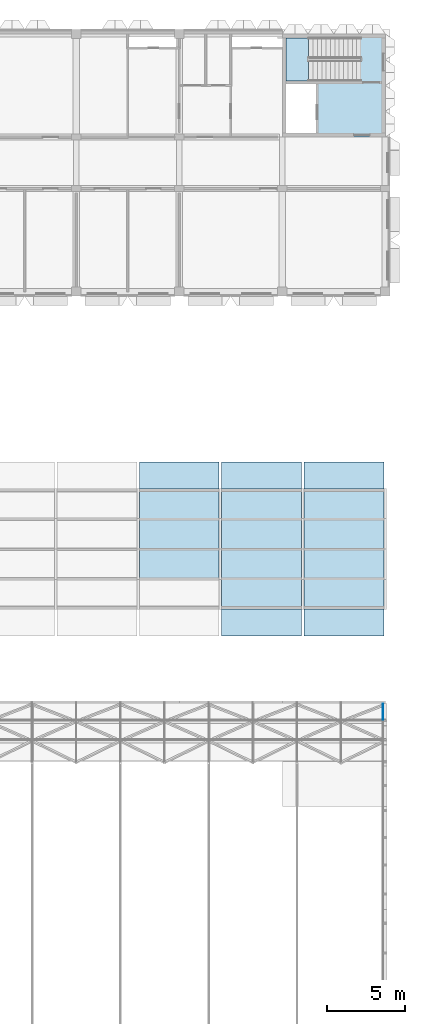
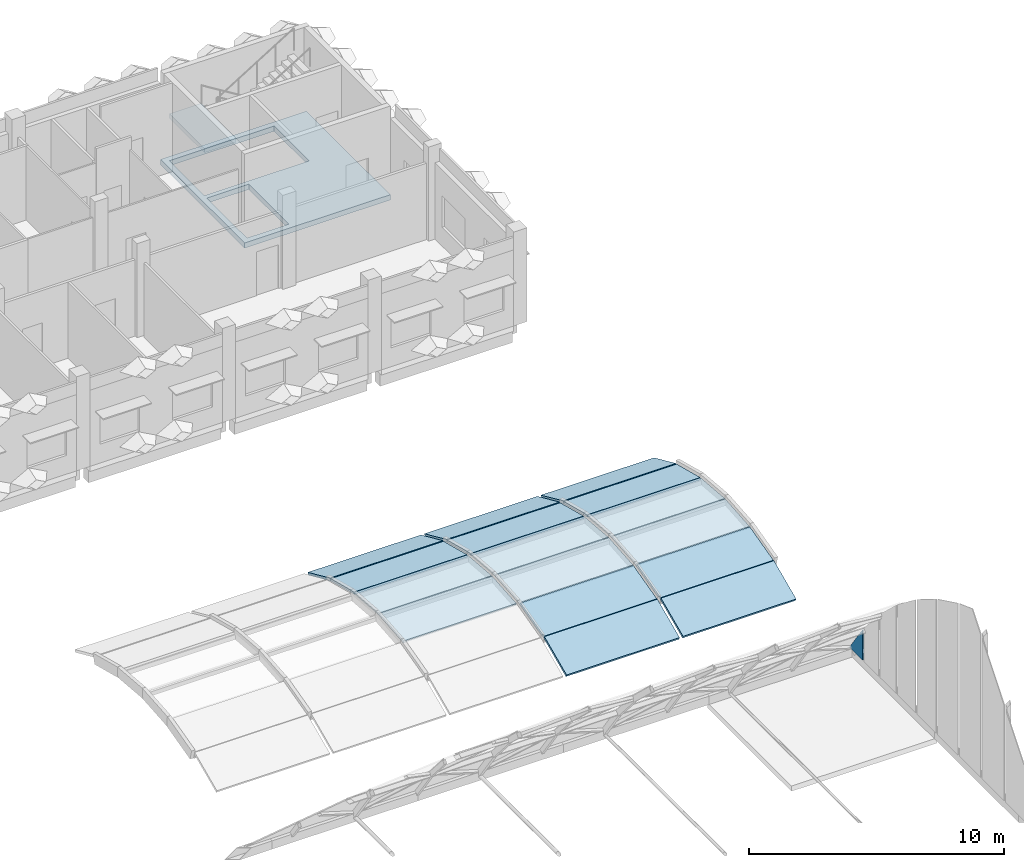
# One storey, part 48 of 109: 18 slabs, 1 plate, 1 element without a shape of its own.
"""IFC4 building model written with IfcOpenShell, lengths in metres."""

from ifc_helpers import new_model, si_unit, direction, frame, origin, place, context, subcontext, project, spatial, polyline, outline, extrude, material, layer, layer_set, type_object, element, aggregate, save


model = new_model("IFC4")

# Units and contexts
model_context = context("Model", 3, precision=1e-05, world=origin(), true_north=direction((0.0, 1.0)))
body_context = subcontext(model_context, "Body", "Model", "MODEL_VIEW")
ifc_project = project(units=[si_unit("LENGTHUNIT", "METRE"), si_unit("AREAUNIT", "SQUARE_METRE"), si_unit("VOLUMEUNIT", "CUBIC_METRE"), si_unit("PLANEANGLEUNIT", "RADIAN"), si_unit("MASSUNIT", "GRAM", prefix="KILO")], contexts=[model_context])

# Site, building, storey
site_placement = place(None, origin())
site = spatial("IfcSite", under=ifc_project, at=site_placement, CompositionType="ELEMENT")
building_placement = place(site_placement, origin())
building = spatial("IfcBuilding", under=site, at=building_placement, Name="Lantern Court Research Institute", CompositionType="ELEMENT")
storey_placement = place(building_placement, frame((0.0, 0.0, 14.39990234375)))
storey = spatial("IfcBuildingStorey", under=building, at=storey_placement, Name="L03", CompositionType="ELEMENT", Elevation=14.39990234375)

# Plate
ifc_material_1 = material(Name="Laminated low-emissivity glass", Category="glass")
ifc_layer_1 = layer(ifc_material_1, 0.035888671875)
ifc_layer_set_1 = layer_set([ifc_layer_1], Name="Laminated low-emissivity glass")
plate_type = type_object("IfcPlateType", Name="Gable glazing panel 36", PredefinedType="SHEET", material=ifc_layer_set_1)
plate_placement = place(storey_placement, frame((79.056884765625, 55.063720703125, 0.400146484375), z_axis=(0.0, 0.0, 1.0), x_axis=(0.0, 1.0, 0.0)))
element("IfcPlate", 1, at=plate_placement, inside=storey, type_object=plate_type, Name="Gable glazing panel", PredefinedType="SHEET", context=body_context, shape_type="SweptSolid", body=[
    extrude(outline(polyline([(0.0, 0.0), (1.016357421875, 0.0), (1.016357421875, 0.0283203125), (0.0, 1.4697265625), (0.0, 0.0)])), frame((0.0, 0.01806640625, 0.0), z_axis=(0.0, -1.0, 0.0), x_axis=(1.0, 0.0, 0.0)), (0.0, 0.0, 1.0), 0.035888671875),
])

# Slab
ifc_material_2 = material(Name="Concrete C35/45", Category="concrete")
ifc_layer_2 = layer(ifc_material_2, 0.25)
ifc_layer_set_2 = layer_set([ifc_layer_2], Name="Concrete C35/45")
slab_type_1 = type_object("IfcSlabType", Name="RC core floor slab 250", PredefinedType="FLOOR", material=ifc_layer_set_2)
slab_1_placement = place(storey_placement, frame((0.0, 0.0, -0.25)))
element("IfcSlab", 2, at=slab_1_placement, inside=storey, type_object=slab_type_1, Name="Floor of core WC-E", PredefinedType="FLOOR", context=body_context, shape_type="SweptSolid", body=[
    extrude(outline(polyline([(72.60009765625, 92.39990234375), (79.199951171875, 92.39990234375), (79.199951171875, 99.0), (72.60009765625, 99.0), (72.60009765625, 92.39990234375)]), holes=[polyline([(77.60009765625, 98.75), (72.85009765625, 98.75), (72.85009765625, 96.0), (77.60009765625, 96.0), (77.60009765625, 98.75)]), polyline([(72.85009765625, 92.64990234375), (72.85009765625, 95.800048828125), (74.75, 95.800048828125), (74.75, 92.64990234375), (72.85009765625, 92.64990234375)])]), origin(), (0.0, 0.0, 1.0), 0.25),
])

# Stair, slab
ifc_material_3 = material(Name="Concrete C40/50", Category="concrete")
stair_type = type_object("IfcStairType", Name="RC half-turn stair 1300 wide, 4500 rise, 6100 shaft", PredefinedType="HALF_TURN_STAIR", material=ifc_material_3)
stair_placement = place(storey_placement, origin())
stair = element("IfcStair", 3, at=stair_placement, inside=storey, type_object=stair_type, Name="L03 stair ST-W3", PredefinedType="HALF_TURN_STAIR")
ifc_material_4 = material(Name="Concrete C40/50", Category="concrete")
ifc_layer_3 = layer(ifc_material_4, 0.199951171875)
ifc_layer_set_3 = layer_set([ifc_layer_3], Name="Concrete C40/50")
slab_type_2 = type_object("IfcSlabType", Name="RC stair landing 200", PredefinedType="LANDING", material=ifc_layer_set_3)
slab_2_placement = place(storey_placement, frame((0.0, 0.0, 2.050048828125)))
slab_2 = element("IfcSlab", 4, at=slab_2_placement, type_object=slab_type_2, Name="ST-W3 landing 1", PredefinedType="LANDING", context=body_context, shape_type="SweptSolid", body=[
    extrude(outline(polyline([(74.2900390625, 98.75), (72.85009765625, 98.75), (72.85009765625, 96.0), (74.2900390625, 96.0), (74.2900390625, 98.75)])), origin(), (0.0, 0.0, 1.0), 0.199951171875),
])
aggregate(stair, [slab_2])

# Slabs
ifc_material_5 = material(Name="Cross-laminated timber C24", Category="wood")
ifc_layer_4 = layer(ifc_material_5, 0.10009765625)
ifc_layer_set_4 = layer_set([ifc_layer_4], Name="Cross-laminated timber C24")
slab_type_3 = type_object("IfcSlabType", Name="Timber roof deck 100", PredefinedType="ROOF", material=ifc_layer_set_4)
for number, where, z_axis, x_axis, name in (
    (5, (63.43994140625, 64.081787109375, 1.317138671875), (0.0, -0.08429454948, 0.996440880799), (1.0, 0.0, 0.0), "Timber roof deck panel"),
    (6, (63.43994140625, 66.016357421875, 1.47802734375), (0.0, 0.08429454948, 0.996440880799), (1.0, 0.0, 0.0), "Timber roof deck panel"),
):
    element("IfcSlab", number, at=place(storey_placement, frame(where, z_axis=z_axis, x_axis=x_axis)), inside=storey, type_object=slab_type_3, Name=name, PredefinedType="ROOF", context=body_context, shape_type="SweptSolid", body=[
        extrude(outline(polyline([(0.0, 0.0), (5.1201171875, 0.0), (5.1201171875, 1.9086485765462389), (0.0, 1.9086485765462389), (0.0, 0.0)])), origin(), (0.0, 0.0, -1.0), 0.10009765625),
    ])
for number, where, z_axis, x_axis, name in (
    (7, (63.43994140625, 67.950439453125, 1.3115234375), (0.0, 0.250833423539, 0.968030264835), (1.0, 0.0, 0.0), "Timber roof deck panel"),
    (8, (68.719970703125, 62.201904296875, 0.832763671875), (0.0, -0.250833423539, 0.968030264835), (1.0, 0.0, 0.0), "Timber roof deck panel"),
):
    element("IfcSlab", number, at=place(storey_placement, frame(where, z_axis=z_axis, x_axis=x_axis)), inside=storey, type_object=slab_type_3, Name=name, PredefinedType="ROOF", context=body_context, shape_type="SweptSolid", body=[
        extrude(outline(polyline([(0.0, 0.0), (5.1201171875, 0.0), (5.1201171875, 1.9086761200752127), (0.0, 1.9086761200752127), (0.0, 0.0)])), origin(), (0.0, 0.0, -1.0), 0.10009765625),
    ])
for number, where, z_axis, x_axis, name in (
    (9, (68.719970703125, 64.081787109375, 1.317138671875), (0.0, -0.08429454948, 0.996440880799), (1.0, 0.0, 0.0), "Timber roof deck panel"),
    (10, (68.719970703125, 66.016357421875, 1.47802734375), (0.0, 0.08429454948, 0.996440880799), (1.0, 0.0, 0.0), "Timber roof deck panel"),
):
    element("IfcSlab", number, at=place(storey_placement, frame(where, z_axis=z_axis, x_axis=x_axis)), inside=storey, type_object=slab_type_3, Name=name, PredefinedType="ROOF", context=body_context, shape_type="SweptSolid", body=[
        extrude(outline(polyline([(0.0, 0.0), (5.1201171875, 0.0), (5.1201171875, 1.9086485765462389), (0.0, 1.9086485765462389), (0.0, 0.0)])), origin(), (0.0, 0.0, -1.0), 0.10009765625),
    ])
for number, where, z_axis, x_axis, name in (
    (11, (68.719970703125, 67.950439453125, 1.3115234375), (0.0, 0.250833423539, 0.968030264835), (1.0, 0.0, 0.0), "Timber roof deck panel"),
    (12, (74.0, 62.201904296875, 0.832763671875), (0.0, -0.250833423539, 0.968030264835), (1.0, 0.0, 0.0), "Timber roof deck panel"),
):
    element("IfcSlab", number, at=place(storey_placement, frame(where, z_axis=z_axis, x_axis=x_axis)), inside=storey, type_object=slab_type_3, Name=name, PredefinedType="ROOF", context=body_context, shape_type="SweptSolid", body=[
        extrude(outline(polyline([(0.0, 0.0), (5.1201171875, 0.0), (5.1201171875, 1.9086761200752127), (0.0, 1.9086761200752127), (0.0, 0.0)])), origin(), (0.0, 0.0, -1.0), 0.10009765625),
    ])
for number, where, z_axis, x_axis, name in (
    (13, (74.0, 64.081787109375, 1.317138671875), (0.0, -0.08429454948, 0.996440880799), (1.0, 0.0, 0.0), "Timber roof deck panel"),
    (14, (74.0, 66.016357421875, 1.47802734375), (0.0, 0.08429454948, 0.996440880799), (1.0, 0.0, 0.0), "Timber roof deck panel"),
):
    element("IfcSlab", number, at=place(storey_placement, frame(where, z_axis=z_axis, x_axis=x_axis)), inside=storey, type_object=slab_type_3, Name=name, PredefinedType="ROOF", context=body_context, shape_type="SweptSolid", body=[
        extrude(outline(polyline([(0.0, 0.0), (5.1201171875, 0.0), (5.1201171875, 1.9086485765462389), (0.0, 1.9086485765462389), (0.0, 0.0)])), origin(), (0.0, 0.0, -1.0), 0.10009765625),
    ])
slab_3_placement = place(storey_placement, frame((74.0, 67.950439453125, 1.3115234375), z_axis=(0.0, 0.250833423539, 0.968030264835), x_axis=(1.0, 0.0, 0.0)))
element("IfcSlab", 15, at=slab_3_placement, inside=storey, type_object=slab_type_3, Name="Timber roof deck panel", PredefinedType="ROOF", context=body_context, shape_type="SweptSolid", body=[
    extrude(outline(polyline([(0.0, 0.0), (5.1201171875, 0.0), (5.1201171875, 1.9086761200752127), (0.0, 1.9086761200752127), (0.0, 0.0)])), origin(), (0.0, 0.0, -1.0), 0.10009765625),
])
ifc_material_6 = material(Name="Cross-laminated timber C24", Category="wood")
ifc_layer_5 = layer(ifc_material_6, 0.1201171875)
ifc_layer_set_5 = layer_set([ifc_layer_5], Name="Cross-laminated timber C24")
slab_type_4 = type_object("IfcSlabType", Name="Timber roof deck 120", PredefinedType="ROOF", material=ifc_layer_set_5)
for number, where, z_axis, x_axis, name in (
    (16, (63.43994140625, 69.837158203125, 0.840087890625), (0.0, 0.410098722232, 0.912041138339), (1.0, 0.0, 0.0), "Timber roof deck panel"),
    (17, (68.719970703125, 60.422119140625, 0.057373046875), (0.0, -0.410098722232, 0.912041138339), (1.0, 0.0, 0.0), "Timber roof deck panel"),
    (18, (68.719970703125, 69.837158203125, 0.840087890625), (0.0, 0.410098722232, 0.912041138339), (1.0, 0.0, 0.0), "Timber roof deck panel"),
    (19, (74.0, 60.422119140625, 0.057373046875), (0.0, -0.410098722232, 0.912041138339), (1.0, 0.0, 0.0), "Timber roof deck panel"),
    (20, (74.0, 69.837158203125, 0.840087890625), (0.0, 0.410098722232, 0.912041138339), (1.0, 0.0, 0.0), "Timber roof deck panel"),
):
    element("IfcSlab", number, at=place(storey_placement, frame(where, z_axis=z_axis, x_axis=x_axis)), inside=storey, type_object=slab_type_4, Name=name, PredefinedType="ROOF", context=body_context, shape_type="SweptSolid", body=[
        extrude(outline(polyline([(0.0, 0.0), (5.1201171875, 0.0), (5.1201171875, 1.9086010302335696), (0.0, 1.9086010302335696), (0.0, 0.0)])), origin(), (0.0, 0.0, -1.0), 0.1201171875),
    ])

save(model, "model.ifc")
